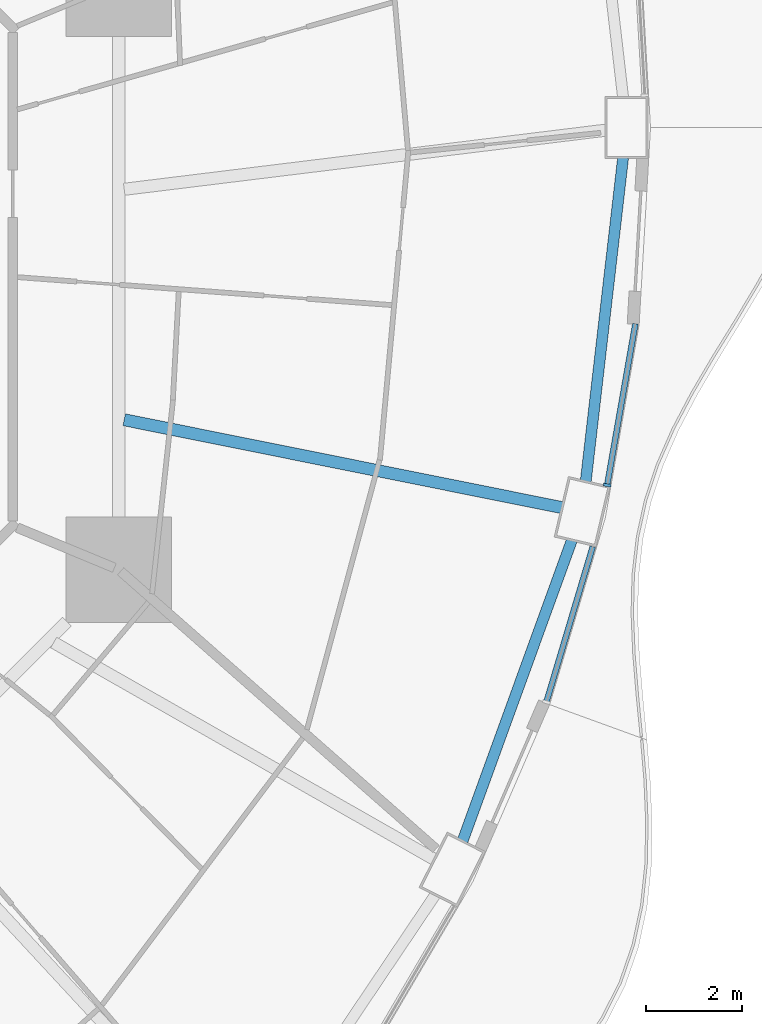
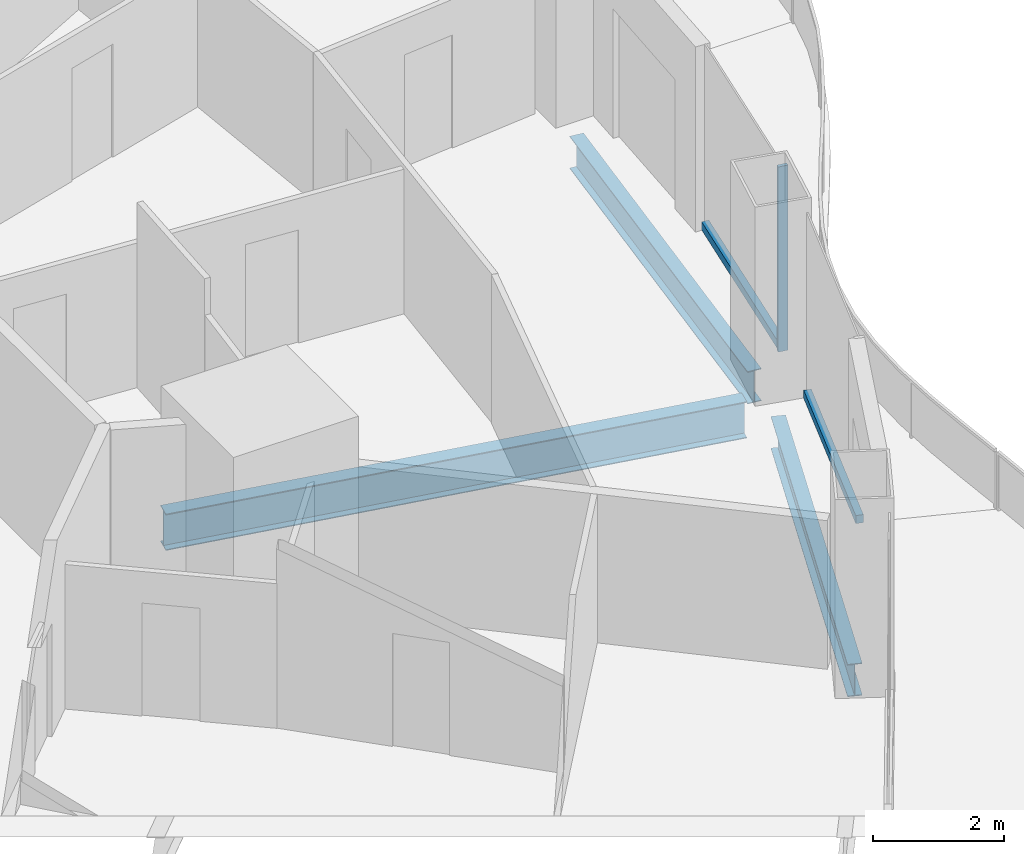
# One storey, part 6 of 22: 3 beams, 3 members, 2 elements without a shape of their own.
"""IFC4 building model written with IfcOpenShell, lengths in metres."""

from ifc_helpers import new_model, si_unit, direction, frame, origin, origin_2d, place, context, subcontext, project, spatial, rectangle, i_section, extrude, material, layer, layer_set, material_profile, profile_set, type_object, element, aggregate, save


model = new_model("IFC4")

# Units and contexts
model_context = context("Model", 3, precision=1e-05, world=origin(), true_north=direction((0.0, 1.0)))
body_context = subcontext(model_context, "Body", "Model", "MODEL_VIEW")
ifc_project = project(units=[si_unit("LENGTHUNIT", "METRE"), si_unit("AREAUNIT", "SQUARE_METRE"), si_unit("VOLUMEUNIT", "CUBIC_METRE"), si_unit("PLANEANGLEUNIT", "RADIAN"), si_unit("MASSUNIT", "GRAM", prefix="KILO")], contexts=[model_context])

# Site, building, storey
site_placement = place(None, origin())
site = spatial("IfcSite", under=ifc_project, at=site_placement, CompositionType="ELEMENT")
building_placement = place(site_placement, origin())
building = spatial("IfcBuilding", under=site, at=building_placement, Name="Nagisa Residences", CompositionType="ELEMENT")
storey_placement = place(building_placement, frame((0.0, 0.0, 91.800048828125)))
storey = spatial("IfcBuildingStorey", under=building, at=storey_placement, Name="L22", CompositionType="ELEMENT", Elevation=91.800048828125)

# Curtain wall, member
ifc_material_1 = material(Name="Concrete-coloured aluminium curtain wall system", Category="concrete")
ifc_layer = layer(ifc_material_1, 0.159912109375)
ifc_layer_set = layer_set([ifc_layer], Name="CW1 CURTAIN WALL")
curtain_wall_type = type_object("IfcCurtainWallType", Name="CW1 CURTAIN WALL", PredefinedType="NOTDEFINED", material=ifc_layer_set)
curtain_wall_1_placement = place(storey_placement, origin())
curtain_wall_1 = element("IfcCurtainWall", 1, at=curtain_wall_1_placement, inside=storey, type_object=curtain_wall_type, Name="cw:CW1:L22:46", PredefinedType="NOTDEFINED")
ifc_material_2 = material(Name="Concrete-coloured aluminium", Category="concrete")
ifc_material_profile_1 = material_profile(ifc_material_2, rectangle(XDim=0.159912109375, YDim=0.06005859375, at=origin_2d()), Name="CW1 MULLION 160x60")
ifc_profile_set_1 = profile_set([ifc_material_profile_1], Name="Concrete-coloured aluminium")
member_type_1 = type_object("IfcMemberType", Name="CW1 MULLION 160x60", PredefinedType="MULLION", material=ifc_profile_set_1)
member_1_placement = place(storey_placement, frame((24.989501953125, -4.35546875, 0.0), z_axis=(0.0, 0.0, 1.0), x_axis=(-0.985063604377, 0.172190868898, 0.0)))
member_1 = element("IfcMember", 2, at=member_1_placement, type_object=member_type_1, Name="CW1 mullion", PredefinedType="MULLION", context=body_context, shape_type="SweptSolid", body=[
    extrude(rectangle(XDim=0.159912109375, YDim=0.06005859375, at=origin_2d()), origin(), (0.0, 0.0, 1.0), 3.43994140625),
])

curtain_wall_2_placement = place(storey_placement, origin())
curtain_wall_2 = element("IfcCurtainWall", 3, at=curtain_wall_2_placement, inside=storey, type_object=curtain_wall_type, Name="cw:CW1:L22:45", PredefinedType="NOTDEFINED")
ifc_material_3 = material(Name="Concrete-coloured aluminium", Category="concrete")
ifc_material_profile_2 = material_profile(ifc_material_3, rectangle(XDim=0.1201171875, YDim=0.14990234375, at=origin_2d()), Name="CW1 TRANSOM 120x150")
ifc_profile_set_2 = profile_set([ifc_material_profile_2], Name="Concrete-coloured aluminium")
member_type_2 = type_object("IfcMemberType", Name="CW1 TRANSOM 120x150", PredefinedType="USERDEFINED", material=ifc_profile_set_2)
member_2_placement = place(storey_placement, frame((23.710205078125, -8.919677734375, 0.074951171875), z_axis=(0.285882094477, 0.958264800594, 0.0), x_axis=(-0.958264800594, 0.285882094477, 0.0)))
member_2 = element("IfcMember", 4, at=member_2_placement, type_object=member_type_2, Name="CW1 transom", ObjectType="TRANSOM", PredefinedType="USERDEFINED", context=body_context, shape_type="SweptSolid", body=[
    extrude(rectangle(XDim=0.1201171875, YDim=0.14990234375, at=origin_2d()), origin(), (0.0, 0.0, 1.0), 3.423583984375),
])
aggregate(curtain_wall_2, [member_2])

# Member
member_3_placement = place(storey_placement, frame((24.984375, -4.385009765625, 0.074951171875), z_axis=(0.17223289558, 0.985056257114, 0.0), x_axis=(-0.985056257114, 0.17223289558, 0.0)))
member_3 = element("IfcMember", 5, at=member_3_placement, type_object=member_type_2, Name="CW1 transom", ObjectType="TRANSOM", PredefinedType="USERDEFINED", context=body_context, shape_type="SweptSolid", body=[
    extrude(rectangle(XDim=0.1201171875, YDim=0.14990234375, at=origin_2d()), origin(), (0.0, 0.0, 1.0), 3.454345703125),
])

aggregate(curtain_wall_1, [member_1, member_3])

# Beams
ifc_material_4 = material(Name="Steel ASTM A572 Gr 50", Category="steel")
ifc_material_profile_3 = material_profile(ifc_material_4, i_section(OverallWidth=0.22802734375, OverallDepth=0.60302734375, WebThickness=0.010498046875, FlangeThickness=0.014892578125, at=origin_2d()), Name="W610x101")
ifc_profile_set_3 = profile_set([ifc_material_profile_3], Name="Steel ASTM A572 Gr 50")
beam_type_1 = type_object("IfcBeamType", Name="Perimeter ring beam W610x101", PredefinedType="BEAM", material=ifc_profile_set_3)
beam_1_placement = place(storey_placement, frame((21.96826171875, -11.793212890625, -0.5615234375), z_axis=(0.341365002286, 0.939930814057, 0.0), x_axis=(-0.939930814057, 0.341365002286, 0.0)))
element("IfcBeam", 6, at=beam_1_placement, inside=storey, type_object=beam_type_1, Name="beam:L22:pb23", PredefinedType="BEAM", context=body_context, shape_type="SweptSolid", body=[
    extrude(i_section(OverallWidth=0.22802734375, OverallDepth=0.60302734375, WebThickness=0.010498046875, FlangeThickness=0.014892578125, at=origin_2d()), origin(), (0.0, 0.0, 1.0), 6.689208984375),
])
beam_2_placement = place(storey_placement, frame((24.541015625, -4.279296875, -0.5615234375), z_axis=(0.114690766503, 0.993401242237, 0.0), x_axis=(-0.993401242237, 0.114690766503, 0.0)))
element("IfcBeam", 7, at=beam_2_placement, inside=storey, type_object=beam_type_1, Name="beam:L22:pb24", PredefinedType="BEAM", context=body_context, shape_type="SweptSolid", body=[
    extrude(i_section(OverallWidth=0.22802734375, OverallDepth=0.60302734375, WebThickness=0.010498046875, FlangeThickness=0.014892578125, at=origin_2d()), origin(), (0.0, 0.0, 1.0), 6.811767578125),
])
ifc_material_5 = material(Name="Steel ASTM A572 Gr 50", Category="steel")
ifc_material_profile_4 = material_profile(ifc_material_5, i_section(OverallWidth=0.2529296875, OverallDepth=0.677978515625, WebThickness=0.01171875, FlangeThickness=0.016357421875, at=origin_2d()), Name="W690x125")
ifc_profile_set_4 = profile_set([ifc_material_profile_4], Name="Steel ASTM A572 Gr 50")
beam_type_2 = type_object("IfcBeamType", Name="Radial beam W690x125", PredefinedType="BEAM", material=ifc_profile_set_4)
beam_3_placement = place(storey_placement, frame((24.046630859375, -4.824951171875, -0.59912109375), z_axis=(-0.980459769656, 0.196719699282, 0.0), x_axis=(-0.196719699282, -0.980459769656, 0.0)))
element("IfcBeam", 8, at=beam_3_placement, inside=storey, type_object=beam_type_2, Name="beam:L22:rb24", PredefinedType="BEAM", context=body_context, shape_type="SweptSolid", body=[
    extrude(i_section(OverallWidth=0.2529296875, OverallDepth=0.677978515625, WebThickness=0.01171875, FlangeThickness=0.016357421875, at=origin_2d()), origin(), (0.0, 0.0, 1.0), 9.333984375),
])

save(model, "model.ifc")
